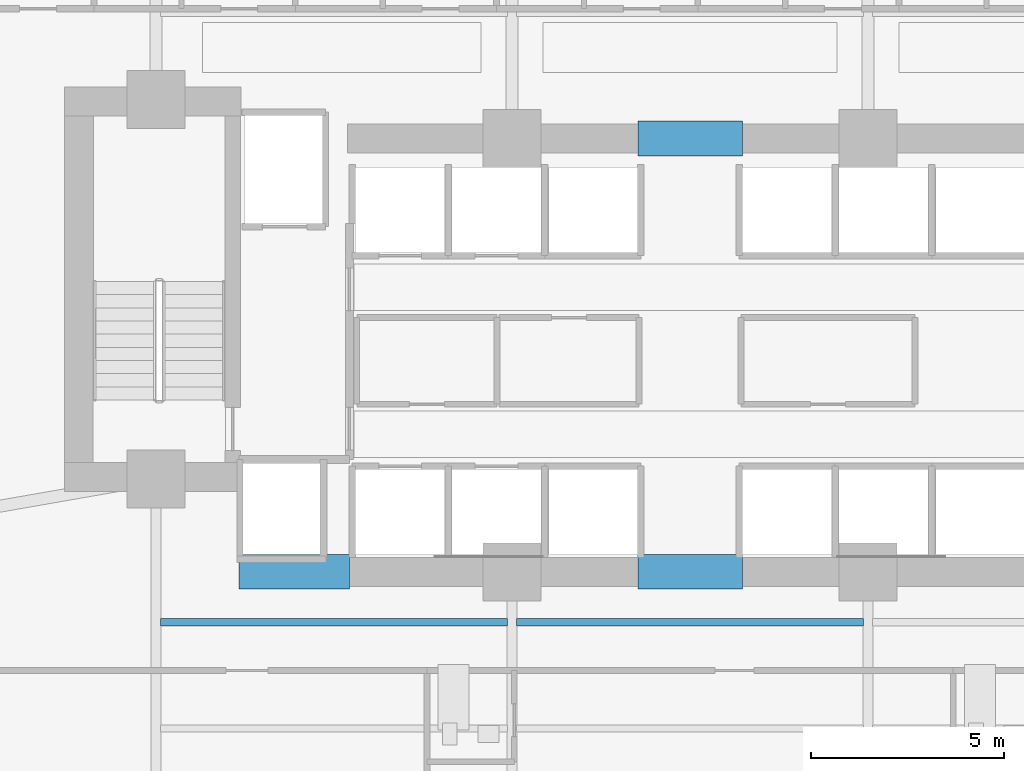
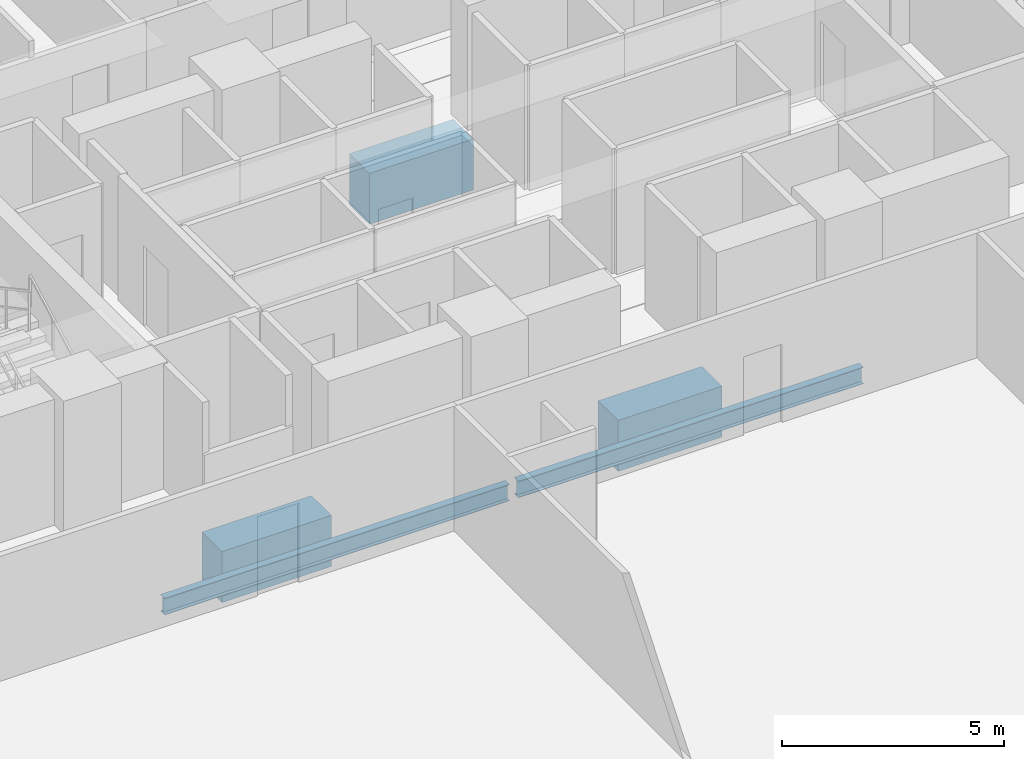
# One storey, part 8 of 28: 5 beams.
"""IFC4 building model written with IfcOpenShell, lengths in metres."""

from ifc_helpers import new_model, si_unit, direction, frame, origin, origin_2d, place, context, subcontext, project, spatial, rectangle, i_section, extrude, material, material_profile, profile_set, type_object, element, save


model = new_model("IFC4")

# Units and contexts
model_context = context("Model", 3, precision=1e-05, world=origin(), true_north=direction((0.0, 1.0)))
body_context = subcontext(model_context, "Body", "Model", "MODEL_VIEW")
ifc_project = project(units=[si_unit("LENGTHUNIT", "METRE"), si_unit("AREAUNIT", "SQUARE_METRE"), si_unit("VOLUMEUNIT", "CUBIC_METRE"), si_unit("PLANEANGLEUNIT", "RADIAN"), si_unit("MASSUNIT", "GRAM", prefix="KILO")], contexts=[model_context])

# Site, building, storey
site_placement = place(None, origin())
site = spatial("IfcSite", under=ifc_project, at=site_placement, CompositionType="ELEMENT")
building_placement = place(site_placement, origin())
building = spatial("IfcBuilding", under=site, at=building_placement, Name="Zuhayl Quay Hotel", CompositionType="ELEMENT")
storey_placement = place(building_placement, frame((0.0, 0.0, 110.25)))
storey = spatial("IfcBuildingStorey", under=building, at=storey_placement, Name="L27", CompositionType="ELEMENT", Elevation=110.25)

# Beams
ifc_material_1 = material(Name="Concrete C60/75", Category="concrete")
ifc_material_profile_1 = material_profile(ifc_material_1, rectangle(XDim=0.89990234375, YDim=1.39990234375, at=origin_2d()), Name="RC900X1400")
ifc_profile_set_1 = profile_set([ifc_material_profile_1], Name="Concrete C60/75")
beam_type_1 = type_object("IfcBeamType", Name="BM_CB1_RC900", PredefinedType="T_BEAM", material=ifc_profile_set_1)
beam_placement = place(storey_placement, frame((-11.64990234375, 2.14990234375, -0.919921875), z_axis=(1.0, 0.0, 0.0), x_axis=(0.0, 1.0, 0.0)))
element("IfcBeam", 1, at=beam_placement, inside=storey, type_object=beam_type_1, Name="L27 Core Coupling Beam SW", PredefinedType="T_BEAM", context=body_context, shape_type="SweptSolid", body=[
    extrude(rectangle(XDim=0.89990234375, YDim=1.39990234375, at=origin_2d()), origin(), (0.0, 0.0, 1.0), 2.849853515625),
])
for number, where, z_axis, x_axis, name in (
    (2, (-1.35009765625, 13.35009765625, -0.919921875), (1.0, 0.0, 0.0), (0.0, 1.0, 0.0), "L27 Core Coupling Beam North"),
    (3, (-1.35009765625, 2.14990234375, -0.919921875), (1.0, 0.0, 0.0), (0.0, 1.0, 0.0), "L27 Core Coupling Beam South"),
):
    element("IfcBeam", number, at=place(storey_placement, frame(where, z_axis=z_axis, x_axis=x_axis)), inside=storey, type_object=beam_type_1, Name=name, PredefinedType="T_BEAM", context=body_context, shape_type="SweptSolid", body=[
        extrude(rectangle(XDim=0.89990234375, YDim=1.39990234375, at=origin_2d()), origin(), (0.0, 0.0, 1.0), 2.7001953125),
    ])
ifc_material_2 = material(Name="Steel ASTM A992 Grade 50", Category="steel")
ifc_material_profile_2 = material_profile(ifc_material_2, i_section(OverallWidth=0.18994140625, OverallDepth=0.45703125, WebThickness=0.009033203125, FlangeThickness=0.014404296875, at=origin_2d()), Name="W18X50")
ifc_profile_set_2 = profile_set([ifc_material_profile_2], Name="Steel ASTM A992 Grade 50")
beam_type_2 = type_object("IfcBeamType", Name="BM_J2_W18X50", PredefinedType="JOIST", material=ifc_profile_set_2)
for number, where, z_axis, x_axis, name in (
    (4, (-13.680908203125, 0.85009765625, -0.448486328125), (1.0, 0.0, 0.0), (0.0, 1.0, 0.0), "L27 Floor Beam FJ_L27_9_1"),
    (5, (-4.48095703125, 0.85009765625, -0.448486328125), (1.0, 0.0, 0.0), (0.0, 1.0, 0.0), "L27 Floor Beam FJ_L27_9_2"),
):
    element("IfcBeam", number, at=place(storey_placement, frame(where, z_axis=z_axis, x_axis=x_axis)), inside=storey, type_object=beam_type_2, Name=name, PredefinedType="JOIST", context=body_context, shape_type="SweptSolid", body=[
        extrude(i_section(OverallWidth=0.18994140625, OverallDepth=0.45703125, WebThickness=0.009033203125, FlangeThickness=0.014404296875, at=origin_2d()), origin(), (0.0, 0.0, 1.0), 8.9619140625),
    ])

save(model, "model.ifc")
